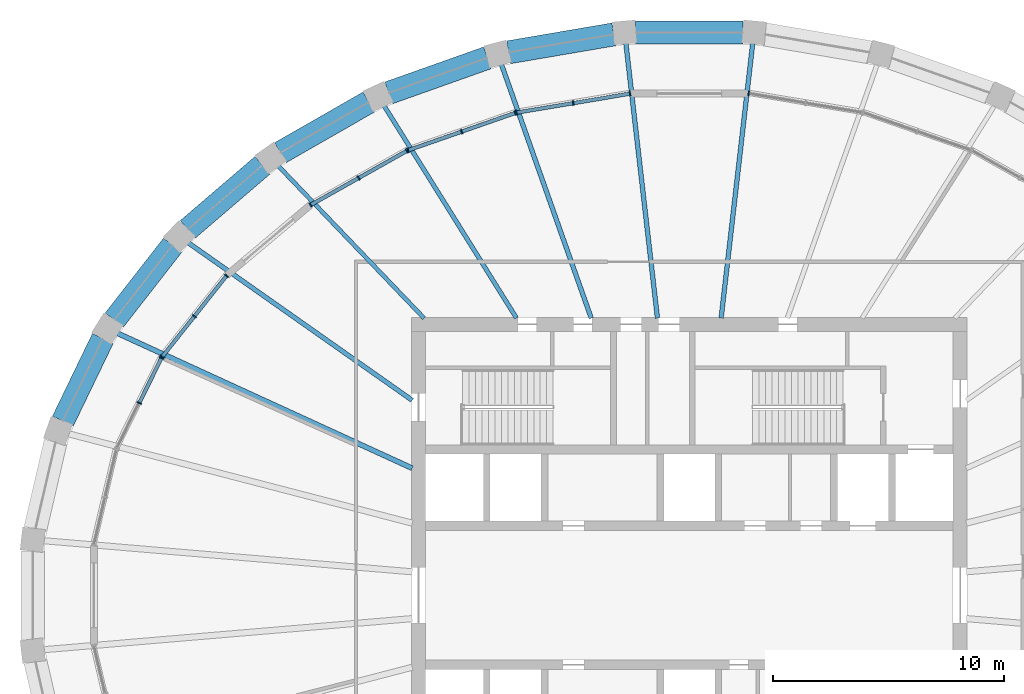
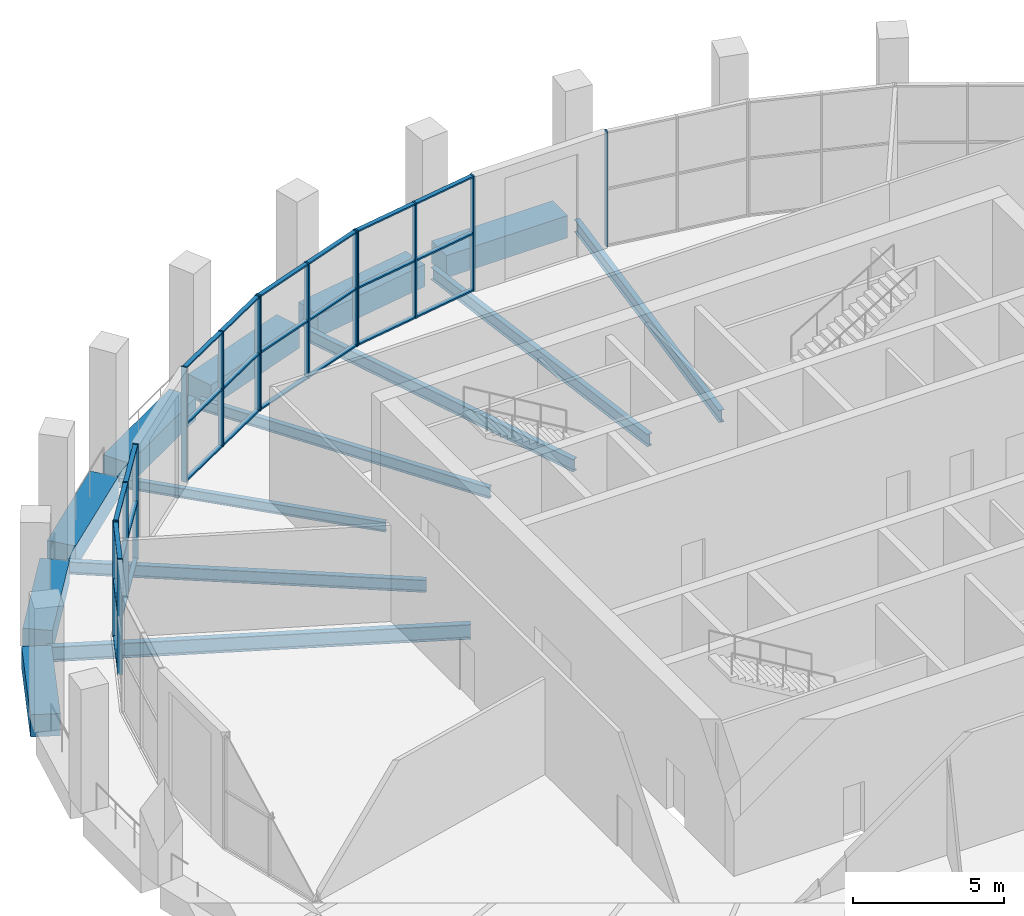
# One storey, part 6 of 15: 42 members, 14 beams, 6 elements without a shape of their own.
"""IFC4 building model written with IfcOpenShell, lengths in metres."""

from ifc_helpers import new_model, si_unit, direction, frame, origin, origin_2d, place, context, subcontext, project, spatial, rectangle, i_section, extrude, material, material_profile, profile_set, type_object, element, aggregate, save


model = new_model("IFC4")

# Units and contexts
model_context = context("Model", 3, precision=1e-05, world=origin(), true_north=direction((0.0, 1.0)))
body_context = subcontext(model_context, "Body", "Model", "MODEL_VIEW")
ifc_project = project(units=[si_unit("LENGTHUNIT", "METRE"), si_unit("AREAUNIT", "SQUARE_METRE"), si_unit("VOLUMEUNIT", "CUBIC_METRE"), si_unit("PLANEANGLEUNIT", "RADIAN"), si_unit("MASSUNIT", "GRAM", prefix="KILO")], contexts=[model_context])

# Site, building, storey
site_placement = place(None, origin())
site = spatial("IfcSite", under=ifc_project, at=site_placement, CompositionType="ELEMENT")
building_placement = place(site_placement, origin())
building = spatial("IfcBuilding", under=site, at=building_placement, Name="Halqa Exchange Tower", CompositionType="ELEMENT")
storey_placement = place(building_placement, frame((0.0, 0.0, 338.300048828125)))
storey = spatial("IfcBuildingStorey", under=building, at=storey_placement, Name="L79", CompositionType="ELEMENT", Elevation=338.300048828125)

# Curtain wall, member
ifc_material_1 = material(Name="Anodised aluminium and clear glass", Category="aluminium")
curtain_wall_type = type_object("IfcCurtainWallType", Name="Executive floor glazing", PredefinedType="NOTDEFINED", material=ifc_material_1)
curtain_wall_1_placement = place(storey_placement, origin())
curtain_wall_1 = element("IfcCurtainWall", 1, at=curtain_wall_1_placement, inside=storey, type_object=curtain_wall_type, Name="Executive floor glazing run G7", PredefinedType="NOTDEFINED")
ifc_material_2 = material(Name="Anodised aluminium", Category="aluminium")
ifc_material_profile_1 = material_profile(ifc_material_2, rectangle(XDim=0.199951171875, YDim=0.06005859375, at=origin_2d()), Name="AL 60x200")
ifc_profile_set_1 = profile_set([ifc_material_profile_1], Name="Anodised aluminium")
member_type_1 = type_object("IfcMemberType", Name="Executive floor glazing mullion 60 x 200", PredefinedType="MULLION", material=ifc_profile_set_1)
member_1_placement = place(storey_placement, frame((2.56103515625, 21.66943359375, 0.0), z_axis=(0.0, 0.0, 1.0), x_axis=(-0.165117129007, -0.986273964834, 0.0)))
member_1 = element("IfcMember", 2, at=member_1_placement, type_object=member_type_1, Name="G7 mullion 3", PredefinedType="MULLION", context=body_context, shape_type="SweptSolid", body=[
    extrude(rectangle(XDim=0.199951171875, YDim=0.06005859375, at=origin_2d()), origin(), (0.0, 0.0, 1.0), 4.64990234375),
])
aggregate(curtain_wall_1, [member_1])

# Curtain wall, members
curtain_wall_2_placement = place(storey_placement, origin())
curtain_wall_2 = element("IfcCurtainWall", 3, at=curtain_wall_2_placement, inside=storey, type_object=curtain_wall_type, Name="Executive floor glazing run G9", PredefinedType="NOTDEFINED")
member_2_placement = place(storey_placement, frame((-2.56103515625, 21.66943359375, 0.0), z_axis=(0.0, 0.0, 1.0), x_axis=(0.165117129007, -0.986273964834, 0.0)))
member_2 = element("IfcMember", 4, at=member_2_placement, type_object=member_type_1, Name="G9 mullion 1", PredefinedType="MULLION", context=body_context, shape_type="SweptSolid", body=[
    extrude(rectangle(XDim=0.199951171875, YDim=0.06005859375, at=origin_2d()), origin(), (0.0, 0.0, 1.0), 4.64990234375),
])
member_3_placement = place(storey_placement, frame((-5.0146484375, 21.2587890625, 0.0), z_axis=(0.0, 0.0, 1.0), x_axis=(0.165117129007, -0.986273964834, 0.0)))
member_3 = element("IfcMember", 5, at=member_3_placement, type_object=member_type_1, Name="G9 mullion 2", PredefinedType="MULLION", context=body_context, shape_type="SweptSolid", body=[
    extrude(rectangle(XDim=0.199951171875, YDim=0.06005859375, at=origin_2d()), origin(), (0.0, 0.0, 1.0), 4.64990234375),
])
member_4_placement = place(storey_placement, frame((-7.468017578125, 20.84814453125, 0.0), z_axis=(0.0, 0.0, 1.0), x_axis=(0.165117129007, -0.986273964834, 0.0)))
member_4 = element("IfcMember", 6, at=member_4_placement, type_object=member_type_1, Name="G9 mullion 3", PredefinedType="MULLION", context=body_context, shape_type="SweptSolid", body=[
    extrude(rectangle(XDim=0.199951171875, YDim=0.06005859375, at=origin_2d()), origin(), (0.0, 0.0, 1.0), 4.64990234375),
])

curtain_wall_3_placement = place(storey_placement, origin())
curtain_wall_3 = element("IfcCurtainWall", 7, at=curtain_wall_3_placement, inside=storey, type_object=curtain_wall_type, Name="Executive floor glazing run G10", PredefinedType="NOTDEFINED")
member_5_placement = place(storey_placement, frame((-7.52587890625, 20.833251953125, 0.0), z_axis=(0.0, 0.0, 1.0), x_axis=(0.329160021888, -0.9442741551, 0.0)))
member_5 = element("IfcMember", 8, at=member_5_placement, type_object=member_type_1, Name="G10 mullion 1", PredefinedType="MULLION", context=body_context, shape_type="SweptSolid", body=[
    extrude(rectangle(XDim=0.199951171875, YDim=0.06005859375, at=origin_2d()), origin(), (0.0, 0.0, 1.0), 4.64990234375),
])
member_6_placement = place(storey_placement, frame((-9.837158203125, 20.027587890625, 0.0), z_axis=(0.0, 0.0, 1.0), x_axis=(0.329160021888, -0.9442741551, 0.0)))
member_6 = element("IfcMember", 9, at=member_6_placement, type_object=member_type_1, Name="G10 mullion 2", PredefinedType="MULLION", context=body_context, shape_type="SweptSolid", body=[
    extrude(rectangle(XDim=0.199951171875, YDim=0.06005859375, at=origin_2d()), origin(), (0.0, 0.0, 1.0), 4.64990234375),
])
member_7_placement = place(storey_placement, frame((-12.1484375, 19.221923828125, 0.0), z_axis=(0.0, 0.0, 1.0), x_axis=(0.329160021888, -0.9442741551, 0.0)))
member_7 = element("IfcMember", 10, at=member_7_placement, type_object=member_type_1, Name="G10 mullion 3", PredefinedType="MULLION", context=body_context, shape_type="SweptSolid", body=[
    extrude(rectangle(XDim=0.199951171875, YDim=0.06005859375, at=origin_2d()), origin(), (0.0, 0.0, 1.0), 4.64990234375),
])

curtain_wall_4_placement = place(storey_placement, origin())
curtain_wall_4 = element("IfcCurtainWall", 11, at=curtain_wall_4_placement, inside=storey, type_object=curtain_wall_type, Name="Executive floor glazing run G11", PredefinedType="NOTDEFINED")
member_8_placement = place(storey_placement, frame((-12.202880859375, 19.197265625, 0.0), z_axis=(0.0, 0.0, 1.0), x_axis=(0.490158094997, -0.871633547948, 0.0)))
member_8 = element("IfcMember", 12, at=member_8_placement, type_object=member_type_1, Name="G11 mullion 1", PredefinedType="MULLION", context=body_context, shape_type="SweptSolid", body=[
    extrude(rectangle(XDim=0.199951171875, YDim=0.06005859375, at=origin_2d()), origin(), (0.0, 0.0, 1.0), 4.64990234375),
])
member_9_placement = place(storey_placement, frame((-14.283203125, 18.02734375, 0.0), z_axis=(0.0, 0.0, 1.0), x_axis=(0.490158094997, -0.871633547948, 0.0)))
member_9 = element("IfcMember", 13, at=member_9_placement, type_object=member_type_1, Name="G11 mullion 2", PredefinedType="MULLION", context=body_context, shape_type="SweptSolid", body=[
    extrude(rectangle(XDim=0.199951171875, YDim=0.06005859375, at=origin_2d()), origin(), (0.0, 0.0, 1.0), 4.64990234375),
])
member_10_placement = place(storey_placement, frame((-16.363525390625, 16.857666015625, 0.0), z_axis=(0.0, 0.0, 1.0), x_axis=(0.490158094997, -0.871633547948, 0.0)))
member_10 = element("IfcMember", 14, at=member_10_placement, type_object=member_type_1, Name="G11 mullion 3", PredefinedType="MULLION", context=body_context, shape_type="SweptSolid", body=[
    extrude(rectangle(XDim=0.199951171875, YDim=0.06005859375, at=origin_2d()), origin(), (0.0, 0.0, 1.0), 4.64990234375),
])

curtain_wall_5_placement = place(storey_placement, origin())
curtain_wall_5 = element("IfcCurtainWall", 15, at=curtain_wall_5_placement, inside=storey, type_object=curtain_wall_type, Name="Executive floor glazing run G13", PredefinedType="NOTDEFINED")
member_11_placement = place(storey_placement, frame((-19.9931640625, 13.802490234375, 0.0), z_axis=(0.0, 0.0, 1.0), x_axis=(0.783162355834, -0.621817275737, 0.0)))
member_11 = element("IfcMember", 16, at=member_11_placement, type_object=member_type_1, Name="G13 mullion 1", PredefinedType="MULLION", context=body_context, shape_type="SweptSolid", body=[
    extrude(rectangle(XDim=0.199951171875, YDim=0.06005859375, at=origin_2d()), origin(), (0.0, 0.0, 1.0), 4.64990234375),
])
member_12_placement = place(storey_placement, frame((-21.3837890625, 12.05126953125, 0.0), z_axis=(0.0, 0.0, 1.0), x_axis=(0.783162355834, -0.621817275737, 0.0)))
member_12 = element("IfcMember", 17, at=member_12_placement, type_object=member_type_1, Name="G13 mullion 2", PredefinedType="MULLION", context=body_context, shape_type="SweptSolid", body=[
    extrude(rectangle(XDim=0.199951171875, YDim=0.06005859375, at=origin_2d()), origin(), (0.0, 0.0, 1.0), 4.64990234375),
])
member_13_placement = place(storey_placement, frame((-22.774169921875, 10.2998046875, 0.0), z_axis=(0.0, 0.0, 1.0), x_axis=(0.783162355834, -0.621817275737, 0.0)))
member_13 = element("IfcMember", 18, at=member_13_placement, type_object=member_type_1, Name="G13 mullion 3", PredefinedType="MULLION", context=body_context, shape_type="SweptSolid", body=[
    extrude(rectangle(XDim=0.199951171875, YDim=0.06005859375, at=origin_2d()), origin(), (0.0, 0.0, 1.0), 4.64990234375),
])

curtain_wall_6_placement = place(storey_placement, origin())
curtain_wall_6 = element("IfcCurtainWall", 19, at=curtain_wall_6_placement, inside=storey, type_object=curtain_wall_type, Name="Executive floor glazing run G14", PredefinedType="NOTDEFINED")
member_14_placement = place(storey_placement, frame((-22.80615234375, 10.24951171875, 0.0), z_axis=(0.0, 0.0, 1.0), x_axis=(0.897214741349, -0.441594506199, 0.0)))
member_14 = element("IfcMember", 20, at=member_14_placement, type_object=member_type_1, Name="G14 mullion 1", PredefinedType="MULLION", context=body_context, shape_type="SweptSolid", body=[
    extrude(rectangle(XDim=0.199951171875, YDim=0.06005859375, at=origin_2d()), origin(), (0.0, 0.0, 1.0), 4.64990234375),
])
member_15_placement = place(storey_placement, frame((-23.76416015625, 8.302978515625, 0.0), z_axis=(0.0, 0.0, 1.0), x_axis=(0.897214741349, -0.441594506199, 0.0)))
member_15 = element("IfcMember", 21, at=member_15_placement, type_object=member_type_1, Name="G14 mullion 2", PredefinedType="MULLION", context=body_context, shape_type="SweptSolid", body=[
    extrude(rectangle(XDim=0.199951171875, YDim=0.06005859375, at=origin_2d()), origin(), (0.0, 0.0, 1.0), 4.64990234375),
])

# Member
ifc_material_profile_2 = material_profile(ifc_material_2, rectangle(XDim=0.159912109375, YDim=0.06005859375, at=origin_2d()), Name="AL 60x160")
ifc_profile_set_2 = profile_set([ifc_material_profile_2], Name="Anodised aluminium")
member_type_2 = type_object("IfcMemberType", Name="Executive floor glazing transom 60 x 160", PredefinedType="USERDEFINED", material=ifc_profile_set_2)
member_16_placement = place(storey_placement, frame((-2.590576171875, 21.66455078125, 0.030029296875), z_axis=(-0.986271338279, -0.165132817116, 0.0), x_axis=(0.165132817116, -0.986271338279, 0.0)))
member_16 = element("IfcMember", 22, at=member_16_placement, type_object=member_type_2, Name="G9 transom 1.1", ObjectType="TRANSOM", PredefinedType="USERDEFINED", context=body_context, shape_type="SweptSolid", body=[
    extrude(rectangle(XDim=0.159912109375, YDim=0.06005859375, at=origin_2d()), origin(), (0.0, 0.0, 1.0), 2.427734375),
])

member_17_placement = place(storey_placement, frame((-2.590576171875, 21.66455078125, 2.324951171875), z_axis=(-0.986271338279, -0.165132817116, 0.0), x_axis=(0.165132817116, -0.986271338279, 0.0)))
member_17 = element("IfcMember", 23, at=member_17_placement, type_object=member_type_2, Name="G9 transom 1.2", ObjectType="TRANSOM", PredefinedType="USERDEFINED", context=body_context, shape_type="SweptSolid", body=[
    extrude(rectangle(XDim=0.159912109375, YDim=0.06005859375, at=origin_2d()), origin(), (0.0, 0.0, 1.0), 2.427734375),
])

member_18_placement = place(storey_placement, frame((-2.590576171875, 21.66455078125, 4.619873046875), z_axis=(-0.986271338279, -0.165132817116, 0.0), x_axis=(0.165132817116, -0.986271338279, 0.0)))
member_18 = element("IfcMember", 24, at=member_18_placement, type_object=member_type_2, Name="G9 transom 1.3", ObjectType="TRANSOM", PredefinedType="USERDEFINED", context=body_context, shape_type="SweptSolid", body=[
    extrude(rectangle(XDim=0.159912109375, YDim=0.06005859375, at=origin_2d()), origin(), (0.0, 0.0, 1.0), 2.427734375),
])

member_19_placement = place(storey_placement, frame((-5.044189453125, 21.25390625, 0.030029296875), z_axis=(-0.986271338279, -0.165132817116, 0.0), x_axis=(0.165132817116, -0.986271338279, 0.0)))
member_19 = element("IfcMember", 25, at=member_19_placement, type_object=member_type_2, Name="G9 transom 2.1", ObjectType="TRANSOM", PredefinedType="USERDEFINED", context=body_context, shape_type="SweptSolid", body=[
    extrude(rectangle(XDim=0.159912109375, YDim=0.06005859375, at=origin_2d()), origin(), (0.0, 0.0, 1.0), 2.427734375),
])

member_20_placement = place(storey_placement, frame((-5.044189453125, 21.25390625, 2.324951171875), z_axis=(-0.986271338279, -0.165132817116, 0.0), x_axis=(0.165132817116, -0.986271338279, 0.0)))
member_20 = element("IfcMember", 26, at=member_20_placement, type_object=member_type_2, Name="G9 transom 2.2", ObjectType="TRANSOM", PredefinedType="USERDEFINED", context=body_context, shape_type="SweptSolid", body=[
    extrude(rectangle(XDim=0.159912109375, YDim=0.06005859375, at=origin_2d()), origin(), (0.0, 0.0, 1.0), 2.427734375),
])

member_21_placement = place(storey_placement, frame((-5.044189453125, 21.25390625, 4.619873046875), z_axis=(-0.986271338279, -0.165132817116, 0.0), x_axis=(0.165132817116, -0.986271338279, 0.0)))
member_21 = element("IfcMember", 27, at=member_21_placement, type_object=member_type_2, Name="G9 transom 2.3", ObjectType="TRANSOM", PredefinedType="USERDEFINED", context=body_context, shape_type="SweptSolid", body=[
    extrude(rectangle(XDim=0.159912109375, YDim=0.06005859375, at=origin_2d()), origin(), (0.0, 0.0, 1.0), 2.427734375),
])

aggregate(curtain_wall_2, [member_2, member_3, member_4, member_16, member_17, member_18, member_19, member_20, member_21])

member_22_placement = place(storey_placement, frame((-7.55419921875, 20.8232421875, 0.030029296875), z_axis=(-0.9442800212, -0.329143193096, 0.0), x_axis=(0.329143193096, -0.9442800212, 0.0)))
member_22 = element("IfcMember", 28, at=member_22_placement, type_object=member_type_2, Name="G10 transom 1.1", ObjectType="TRANSOM", PredefinedType="USERDEFINED", context=body_context, shape_type="SweptSolid", body=[
    extrude(rectangle(XDim=0.159912109375, YDim=0.06005859375, at=origin_2d()), origin(), (0.0, 0.0, 1.0), 2.3876953125),
])

member_23_placement = place(storey_placement, frame((-7.55419921875, 20.8232421875, 2.324951171875), z_axis=(-0.9442800212, -0.329143193096, 0.0), x_axis=(0.329143193096, -0.9442800212, 0.0)))
member_23 = element("IfcMember", 29, at=member_23_placement, type_object=member_type_2, Name="G10 transom 1.2", ObjectType="TRANSOM", PredefinedType="USERDEFINED", context=body_context, shape_type="SweptSolid", body=[
    extrude(rectangle(XDim=0.159912109375, YDim=0.06005859375, at=origin_2d()), origin(), (0.0, 0.0, 1.0), 2.3876953125),
])

member_24_placement = place(storey_placement, frame((-7.55419921875, 20.8232421875, 4.619873046875), z_axis=(-0.9442800212, -0.329143193096, 0.0), x_axis=(0.329143193096, -0.9442800212, 0.0)))
member_24 = element("IfcMember", 30, at=member_24_placement, type_object=member_type_2, Name="G10 transom 1.3", ObjectType="TRANSOM", PredefinedType="USERDEFINED", context=body_context, shape_type="SweptSolid", body=[
    extrude(rectangle(XDim=0.159912109375, YDim=0.06005859375, at=origin_2d()), origin(), (0.0, 0.0, 1.0), 2.3876953125),
])

member_25_placement = place(storey_placement, frame((-9.865478515625, 20.017578125, 0.030029296875), z_axis=(-0.9442800212, -0.329143193096, 0.0), x_axis=(0.329143193096, -0.9442800212, 0.0)))
member_25 = element("IfcMember", 31, at=member_25_placement, type_object=member_type_2, Name="G10 transom 2.1", ObjectType="TRANSOM", PredefinedType="USERDEFINED", context=body_context, shape_type="SweptSolid", body=[
    extrude(rectangle(XDim=0.159912109375, YDim=0.06005859375, at=origin_2d()), origin(), (0.0, 0.0, 1.0), 2.3876953125),
])

member_26_placement = place(storey_placement, frame((-9.865478515625, 20.017578125, 2.324951171875), z_axis=(-0.9442800212, -0.329143193096, 0.0), x_axis=(0.329143193096, -0.9442800212, 0.0)))
member_26 = element("IfcMember", 32, at=member_26_placement, type_object=member_type_2, Name="G10 transom 2.2", ObjectType="TRANSOM", PredefinedType="USERDEFINED", context=body_context, shape_type="SweptSolid", body=[
    extrude(rectangle(XDim=0.159912109375, YDim=0.06005859375, at=origin_2d()), origin(), (0.0, 0.0, 1.0), 2.3876953125),
])

member_27_placement = place(storey_placement, frame((-9.865478515625, 20.017578125, 4.619873046875), z_axis=(-0.9442800212, -0.329143193096, 0.0), x_axis=(0.329143193096, -0.9442800212, 0.0)))
member_27 = element("IfcMember", 33, at=member_27_placement, type_object=member_type_2, Name="G10 transom 2.3", ObjectType="TRANSOM", PredefinedType="USERDEFINED", context=body_context, shape_type="SweptSolid", body=[
    extrude(rectangle(XDim=0.159912109375, YDim=0.06005859375, at=origin_2d()), origin(), (0.0, 0.0, 1.0), 2.3876953125),
])

aggregate(curtain_wall_3, [member_5, member_6, member_7, member_22, member_23, member_24, member_25, member_26, member_27])

member_28_placement = place(storey_placement, frame((-12.22900390625, 19.1826171875, 0.030029296875), z_axis=(-0.871651188235, -0.490126724479, 0.0), x_axis=(0.490126724479, -0.871651188235, 0.0)))
member_28 = element("IfcMember", 34, at=member_28_placement, type_object=member_type_2, Name="G11 transom 1.1", ObjectType="TRANSOM", PredefinedType="USERDEFINED", context=body_context, shape_type="SweptSolid", body=[
    extrude(rectangle(XDim=0.159912109375, YDim=0.06005859375, at=origin_2d()), origin(), (0.0, 0.0, 1.0), 2.32666015625),
])

member_29_placement = place(storey_placement, frame((-12.22900390625, 19.1826171875, 2.324951171875), z_axis=(-0.871651188235, -0.490126724479, 0.0), x_axis=(0.490126724479, -0.871651188235, 0.0)))
member_29 = element("IfcMember", 35, at=member_29_placement, type_object=member_type_2, Name="G11 transom 1.2", ObjectType="TRANSOM", PredefinedType="USERDEFINED", context=body_context, shape_type="SweptSolid", body=[
    extrude(rectangle(XDim=0.159912109375, YDim=0.06005859375, at=origin_2d()), origin(), (0.0, 0.0, 1.0), 2.32666015625),
])

member_30_placement = place(storey_placement, frame((-12.22900390625, 19.1826171875, 4.619873046875), z_axis=(-0.871651188235, -0.490126724479, 0.0), x_axis=(0.490126724479, -0.871651188235, 0.0)))
member_30 = element("IfcMember", 36, at=member_30_placement, type_object=member_type_2, Name="G11 transom 1.3", ObjectType="TRANSOM", PredefinedType="USERDEFINED", context=body_context, shape_type="SweptSolid", body=[
    extrude(rectangle(XDim=0.159912109375, YDim=0.06005859375, at=origin_2d()), origin(), (0.0, 0.0, 1.0), 2.32666015625),
])

member_31_placement = place(storey_placement, frame((-14.309326171875, 18.0126953125, 0.030029296875), z_axis=(-0.871651188235, -0.490126724479, 0.0), x_axis=(0.490126724479, -0.871651188235, 0.0)))
member_31 = element("IfcMember", 37, at=member_31_placement, type_object=member_type_2, Name="G11 transom 2.1", ObjectType="TRANSOM", PredefinedType="USERDEFINED", context=body_context, shape_type="SweptSolid", body=[
    extrude(rectangle(XDim=0.159912109375, YDim=0.06005859375, at=origin_2d()), origin(), (0.0, 0.0, 1.0), 2.32666015625),
])

member_32_placement = place(storey_placement, frame((-14.309326171875, 18.0126953125, 2.324951171875), z_axis=(-0.871651188235, -0.490126724479, 0.0), x_axis=(0.490126724479, -0.871651188235, 0.0)))
member_32 = element("IfcMember", 38, at=member_32_placement, type_object=member_type_2, Name="G11 transom 2.2", ObjectType="TRANSOM", PredefinedType="USERDEFINED", context=body_context, shape_type="SweptSolid", body=[
    extrude(rectangle(XDim=0.159912109375, YDim=0.06005859375, at=origin_2d()), origin(), (0.0, 0.0, 1.0), 2.32666015625),
])

member_33_placement = place(storey_placement, frame((-14.309326171875, 18.0126953125, 4.619873046875), z_axis=(-0.871651188235, -0.490126724479, 0.0), x_axis=(0.490126724479, -0.871651188235, 0.0)))
member_33 = element("IfcMember", 39, at=member_33_placement, type_object=member_type_2, Name="G11 transom 2.3", ObjectType="TRANSOM", PredefinedType="USERDEFINED", context=body_context, shape_type="SweptSolid", body=[
    extrude(rectangle(XDim=0.159912109375, YDim=0.06005859375, at=origin_2d()), origin(), (0.0, 0.0, 1.0), 2.32666015625),
])

aggregate(curtain_wall_4, [member_8, member_9, member_10, member_28, member_29, member_30, member_31, member_32, member_33])

member_34_placement = place(storey_placement, frame((-20.01171875, 13.779052734375, 0.030029296875), z_axis=(-0.621831555709, -0.783151017572, 0.0), x_axis=(0.783151017572, -0.621831555709, 0.0)))
member_34 = element("IfcMember", 40, at=member_34_placement, type_object=member_type_2, Name="G13 transom 1.1", ObjectType="TRANSOM", PredefinedType="USERDEFINED", context=body_context, shape_type="SweptSolid", body=[
    extrude(rectangle(XDim=0.159912109375, YDim=0.06005859375, at=origin_2d()), origin(), (0.0, 0.0, 1.0), 2.17626953125),
])

member_35_placement = place(storey_placement, frame((-20.01171875, 13.779052734375, 2.324951171875), z_axis=(-0.621831555709, -0.783151017572, 0.0), x_axis=(0.783151017572, -0.621831555709, 0.0)))
member_35 = element("IfcMember", 41, at=member_35_placement, type_object=member_type_2, Name="G13 transom 1.2", ObjectType="TRANSOM", PredefinedType="USERDEFINED", context=body_context, shape_type="SweptSolid", body=[
    extrude(rectangle(XDim=0.159912109375, YDim=0.06005859375, at=origin_2d()), origin(), (0.0, 0.0, 1.0), 2.17626953125),
])

member_36_placement = place(storey_placement, frame((-20.01171875, 13.779052734375, 4.619873046875), z_axis=(-0.621831555709, -0.783151017572, 0.0), x_axis=(0.783151017572, -0.621831555709, 0.0)))
member_36 = element("IfcMember", 42, at=member_36_placement, type_object=member_type_2, Name="G13 transom 1.3", ObjectType="TRANSOM", PredefinedType="USERDEFINED", context=body_context, shape_type="SweptSolid", body=[
    extrude(rectangle(XDim=0.159912109375, YDim=0.06005859375, at=origin_2d()), origin(), (0.0, 0.0, 1.0), 2.17626953125),
])

member_37_placement = place(storey_placement, frame((-21.40234375, 12.02783203125, 0.030029296875), z_axis=(-0.621831555709, -0.783151017572, 0.0), x_axis=(0.783151017572, -0.621831555709, 0.0)))
member_37 = element("IfcMember", 43, at=member_37_placement, type_object=member_type_2, Name="G13 transom 2.1", ObjectType="TRANSOM", PredefinedType="USERDEFINED", context=body_context, shape_type="SweptSolid", body=[
    extrude(rectangle(XDim=0.159912109375, YDim=0.06005859375, at=origin_2d()), origin(), (0.0, 0.0, 1.0), 2.17626953125),
])

member_38_placement = place(storey_placement, frame((-21.40234375, 12.02783203125, 2.324951171875), z_axis=(-0.621831555709, -0.783151017572, 0.0), x_axis=(0.783151017572, -0.621831555709, 0.0)))
member_38 = element("IfcMember", 44, at=member_38_placement, type_object=member_type_2, Name="G13 transom 2.2", ObjectType="TRANSOM", PredefinedType="USERDEFINED", context=body_context, shape_type="SweptSolid", body=[
    extrude(rectangle(XDim=0.159912109375, YDim=0.06005859375, at=origin_2d()), origin(), (0.0, 0.0, 1.0), 2.17626953125),
])

member_39_placement = place(storey_placement, frame((-21.40234375, 12.02783203125, 4.619873046875), z_axis=(-0.621831555709, -0.783151017572, 0.0), x_axis=(0.783151017572, -0.621831555709, 0.0)))
member_39 = element("IfcMember", 45, at=member_39_placement, type_object=member_type_2, Name="G13 transom 2.3", ObjectType="TRANSOM", PredefinedType="USERDEFINED", context=body_context, shape_type="SweptSolid", body=[
    extrude(rectangle(XDim=0.159912109375, YDim=0.06005859375, at=origin_2d()), origin(), (0.0, 0.0, 1.0), 2.17626953125),
])

aggregate(curtain_wall_5, [member_11, member_12, member_13, member_34, member_35, member_36, member_37, member_38, member_39])

member_40_placement = place(storey_placement, frame((-22.8193359375, 10.22265625, 0.030029296875), z_axis=(-0.441603772589, -0.897210180524, 0.0), x_axis=(0.897210180524, -0.441603772589, 0.0)))
member_40 = element("IfcMember", 46, at=member_40_placement, type_object=member_type_2, Name="G14 transom 1.1", ObjectType="TRANSOM", PredefinedType="USERDEFINED", context=body_context, shape_type="SweptSolid", body=[
    extrude(rectangle(XDim=0.159912109375, YDim=0.06005859375, at=origin_2d()), origin(), (0.0, 0.0, 1.0), 2.109619140625),
])

member_41_placement = place(storey_placement, frame((-22.8193359375, 10.22265625, 2.324951171875), z_axis=(-0.441603772589, -0.897210180524, 0.0), x_axis=(0.897210180524, -0.441603772589, 0.0)))
member_41 = element("IfcMember", 47, at=member_41_placement, type_object=member_type_2, Name="G14 transom 1.2", ObjectType="TRANSOM", PredefinedType="USERDEFINED", context=body_context, shape_type="SweptSolid", body=[
    extrude(rectangle(XDim=0.159912109375, YDim=0.06005859375, at=origin_2d()), origin(), (0.0, 0.0, 1.0), 2.109619140625),
])

member_42_placement = place(storey_placement, frame((-22.8193359375, 10.22265625, 4.619873046875), z_axis=(-0.441603772589, -0.897210180524, 0.0), x_axis=(0.897210180524, -0.441603772589, 0.0)))
member_42 = element("IfcMember", 48, at=member_42_placement, type_object=member_type_2, Name="G14 transom 1.3", ObjectType="TRANSOM", PredefinedType="USERDEFINED", context=body_context, shape_type="SweptSolid", body=[
    extrude(rectangle(XDim=0.159912109375, YDim=0.06005859375, at=origin_2d()), origin(), (0.0, 0.0, 1.0), 2.109619140625),
])

aggregate(curtain_wall_6, [member_14, member_15, member_40, member_41, member_42])

# Beams
ifc_material_3 = material(Name="Steel S355", Category="steel")
ifc_material_profile_3 = material_profile(ifc_material_3, i_section(OverallWidth=0.179931640625, OverallDepth=0.39990234375, WebThickness=0.008544921875, FlangeThickness=0.013427734375, FilletRadius=0.02099609375, at=origin_2d()), Name="IPE 400")
ifc_profile_set_3 = profile_set([ifc_material_profile_3], Name="Steel S355")
beam_type_1 = type_object("IfcBeamType", Name="Floor beam IPE 400", PredefinedType="BEAM", material=ifc_profile_set_3)
beam_1_placement = place(storey_placement, frame((-11.46240234375, 11.9716796875, -0.550048828125), z_axis=(-0.691577100122, 0.722302647501, 0.0), x_axis=(-0.722302647501, -0.691577100122, 0.0)))
element("IfcBeam", 49, at=beam_1_placement, inside=storey, type_object=beam_type_1, Name="Radial beam 12", PredefinedType="BEAM", context=body_context, shape_type="SweptSolid", body=[
    extrude(i_section(OverallWidth=0.179931640625, OverallDepth=0.39990234375, WebThickness=0.008544921875, FlangeThickness=0.013427734375, FilletRadius=0.02099609375, at=origin_2d()), origin(), (0.0, 0.0, 1.0), 9.193359375),
])
ifc_material_profile_4 = material_profile(ifc_material_3, i_section(OverallWidth=0.18994140625, OverallDepth=0.449951171875, WebThickness=0.009521484375, FlangeThickness=0.0146484375, FilletRadius=0.02099609375, at=origin_2d()), Name="IPE 450")
ifc_profile_set_4 = profile_set([ifc_material_profile_4], Name="Steel S355")
beam_type_2 = type_object("IfcBeamType", Name="Floor beam IPE 450", PredefinedType="BEAM", material=ifc_profile_set_4)
beam_2_placement = place(storey_placement, frame((-7.46630859375, 11.972900390625, -0.574951171875), z_axis=(-0.529135242535, 0.848537503654, 0.0), x_axis=(-0.848537503654, -0.529135242535, 0.0)))
element("IfcBeam", 50, at=beam_2_placement, inside=storey, type_object=beam_type_2, Name="Radial beam 11", PredefinedType="BEAM", context=body_context, shape_type="SweptSolid", body=[
    extrude(i_section(OverallWidth=0.18994140625, OverallDepth=0.449951171875, WebThickness=0.009521484375, FlangeThickness=0.0146484375, FilletRadius=0.02099609375, at=origin_2d()), origin(), (0.0, 0.0, 1.0), 10.90380859375),
])
ifc_material_profile_5 = material_profile(ifc_material_3, i_section(OverallWidth=0.199951171875, OverallDepth=0.5, WebThickness=0.01025390625, FlangeThickness=0.01611328125, FilletRadius=0.02099609375, at=origin_2d()), Name="IPE 500")
ifc_profile_set_5 = profile_set([ifc_material_profile_5], Name="Steel S355")
beam_type_3 = type_object("IfcBeamType", Name="Floor beam IPE 500", PredefinedType="BEAM", material=ifc_profile_set_5)
for number, where, z_axis, x_axis, name in (
    (51, (1.37548828125, 11.97119140625, -0.60009765625), (0.114158031936, 0.993462603093, 0.0), (-0.993462603093, 0.114158031936, 0.0), "Radial beam 8"),
    (52, (-1.37548828125, 11.97119140625, -0.60009765625), (-0.114158031936, 0.993462603093, 0.0), (-0.993462603093, -0.114158031936, 0.0), "Radial beam 9"),
):
    element("IfcBeam", number, at=place(storey_placement, frame(where, z_axis=z_axis, x_axis=x_axis)), inside=storey, type_object=beam_type_3, Name=name, PredefinedType="BEAM", context=body_context, shape_type="SweptSolid", body=[
        extrude(i_section(OverallWidth=0.199951171875, OverallDepth=0.5, WebThickness=0.01025390625, FlangeThickness=0.01611328125, FilletRadius=0.02099609375, at=origin_2d()), origin(), (0.0, 0.0, 1.0), 12.049072265625),
    ])
beam_3_placement = place(storey_placement, frame((-4.237060546875, 11.97216796875, -0.60009765625), z_axis=(-0.333610824629, 0.942710887648, 0.0), x_axis=(-0.942710887648, -0.333610824629, 0.0)))
element("IfcBeam", 53, at=beam_3_placement, inside=storey, type_object=beam_type_3, Name="Radial beam 10", PredefinedType="BEAM", context=body_context, shape_type="SweptSolid", body=[
    extrude(i_section(OverallWidth=0.199951171875, OverallDepth=0.5, WebThickness=0.01025390625, FlangeThickness=0.01611328125, FilletRadius=0.02099609375, at=origin_2d()), origin(), (0.0, 0.0, 1.0), 11.7236328125),
])
beam_4_placement = place(storey_placement, frame((-11.971435546875, 8.421142578125, -0.60009765625), z_axis=(-0.817909915289, 0.575346304822, 0.0), x_axis=(-0.575346304822, -0.817909915289, 0.0)))
element("IfcBeam", 54, at=beam_4_placement, inside=storey, type_object=beam_type_3, Name="Radial beam 13", PredefinedType="BEAM", context=body_context, shape_type="SweptSolid", body=[
    extrude(i_section(OverallWidth=0.199951171875, OverallDepth=0.5, WebThickness=0.01025390625, FlangeThickness=0.01611328125, FilletRadius=0.02099609375, at=origin_2d()), origin(), (0.0, 0.0, 1.0), 11.923095703125),
])
ifc_material_profile_6 = material_profile(ifc_material_3, i_section(OverallWidth=0.219970703125, OverallDepth=0.60009765625, WebThickness=0.011962890625, FlangeThickness=0.01904296875, FilletRadius=0.02392578125, at=origin_2d()), Name="IPE 600")
ifc_profile_set_6 = profile_set([ifc_material_profile_6], Name="Steel S355")
beam_type_4 = type_object("IfcBeamType", Name="Floor beam IPE 600", PredefinedType="BEAM", material=ifc_profile_set_6)
beam_5_placement = place(storey_placement, frame((-11.97216796875, 5.485107421875, -0.650146484375), z_axis=(-0.909129837919, 0.416512830302, 0.0), x_axis=(-0.416512830302, -0.909129837919, 0.0)))
element("IfcBeam", 55, at=beam_5_placement, inside=storey, type_object=beam_type_4, Name="Radial beam 14", PredefinedType="BEAM", context=body_context, shape_type="SweptSolid", body=[
    extrude(i_section(OverallWidth=0.219970703125, OverallDepth=0.60009765625, WebThickness=0.011962890625, FlangeThickness=0.01904296875, FilletRadius=0.02392578125, at=origin_2d()), origin(), (0.0, 0.0, 1.0), 14.102294921875),
])
ifc_material_4 = material(Name="Concrete C60/75", Category="concrete")
ifc_material_profile_7 = material_profile(ifc_material_4, rectangle(XDim=1.0, YDim=0.89990234375, at=origin_2d()), Name="1000 x 900")
ifc_profile_set_7 = profile_set([ifc_material_profile_7], Name="Concrete C60/75")
beam_type_5 = type_object("IfcBeamType", Name="RC spandrel beam 1000 x 900 C60/75", PredefinedType="SPANDREL", material=ifc_profile_set_7)
beam_6_placement = place(storey_placement, frame((2.319580078125, 24.31103515625, -0.449951171875), z_axis=(-1.0, 0.0, 0.0), x_axis=(0.0, -1.0, 0.0)))
element("IfcBeam", 56, at=beam_6_placement, inside=storey, type_object=beam_type_5, Name="Spandrel 8", PredefinedType="SPANDREL", context=body_context, shape_type="SweptSolid", body=[
    extrude(rectangle(XDim=1.0, YDim=0.89990234375, at=origin_2d()), origin(), (0.0, 0.0, 1.0), 4.63916015625),
])
beam_7_placement = place(storey_placement, frame((-3.2607421875, 24.231201171875, -0.449951171875), z_axis=(-0.985773042695, -0.168081849987, 0.0), x_axis=(0.168081849987, -0.985773042695, 0.0)))
element("IfcBeam", 57, at=beam_7_placement, inside=storey, type_object=beam_type_5, Name="Spandrel 9", PredefinedType="SPANDREL", context=body_context, shape_type="SweptSolid", body=[
    extrude(rectangle(XDim=1.0, YDim=0.89990234375, at=origin_2d()), origin(), (0.0, 0.0, 1.0), 4.6103515625),
])
beam_8_placement = place(storey_placement, frame((-8.718994140625, 23.218505859375, -0.449951171875), z_axis=(-0.94236088808, -0.334598201755, 0.0), x_axis=(0.334598201755, -0.94236088808, 0.0)))
element("IfcBeam", 58, at=beam_8_placement, inside=storey, type_object=beam_type_5, Name="Spandrel 10", PredefinedType="SPANDREL", context=body_context, shape_type="SweptSolid", body=[
    extrude(rectangle(XDim=1.0, YDim=0.89990234375, at=origin_2d()), origin(), (0.0, 0.0, 1.0), 4.530517578125),
])
beam_9_placement = place(storey_placement, frame((-13.8466796875, 21.30810546875, -0.449951171875), z_axis=(-0.86778573249, -0.49693855001, 0.0), x_axis=(0.49693855001, -0.86778573249, 0.0)))
element("IfcBeam", 59, at=beam_9_placement, inside=storey, type_object=beam_type_5, Name="Spandrel 11", PredefinedType="SPANDREL", context=body_context, shape_type="SweptSolid", body=[
    extrude(rectangle(XDim=1.0, YDim=0.89990234375, at=origin_2d()), origin(), (0.0, 0.0, 1.0), 4.40478515625),
])
beam_10_placement = place(storey_placement, frame((-18.44091796875, 18.574462890625, -0.449951171875), z_axis=(-0.759232294843, -0.65081973116, 0.0), x_axis=(0.65081973116, -0.759232294843, 0.0)))
element("IfcBeam", 60, at=beam_10_placement, inside=storey, type_object=beam_type_5, Name="Spandrel 12", PredefinedType="SPANDREL", context=body_context, shape_type="SweptSolid", body=[
    extrude(rectangle(XDim=1.0, YDim=0.89990234375, at=origin_2d()), origin(), (0.0, 0.0, 1.0), 4.25390625),
])
beam_11_placement = place(storey_placement, frame((-22.322021484375, 15.123779296875, -0.449951171875), z_axis=(-0.61480594236, -0.788678421943, 0.0), x_axis=(0.788678421943, -0.61480594236, 0.0)))
element("IfcBeam", 61, at=beam_11_placement, inside=storey, type_object=beam_type_5, Name="Spandrel 13", PredefinedType="SPANDREL", context=body_context, shape_type="SweptSolid", body=[
    extrude(rectangle(XDim=1.0, YDim=0.89990234375, at=origin_2d()), origin(), (0.0, 0.0, 1.0), 4.10009765625),
])
beam_12_placement = place(storey_placement, frame((-25.34130859375, 11.088623046875, -0.449951171875), z_axis=(-0.43505216676, -0.900405248873, 0.0), x_axis=(0.900405248873, -0.43505216676, 0.0)))
element("IfcBeam", 62, at=beam_12_placement, inside=storey, type_object=beam_type_5, Name="Spandrel 14", PredefinedType="SPANDREL", context=body_context, shape_type="SweptSolid", body=[
    extrude(rectangle(XDim=1.0, YDim=0.89990234375, at=origin_2d()), origin(), (0.0, 0.0, 1.0), 3.964111328125),
])

save(model, "model.ifc")
